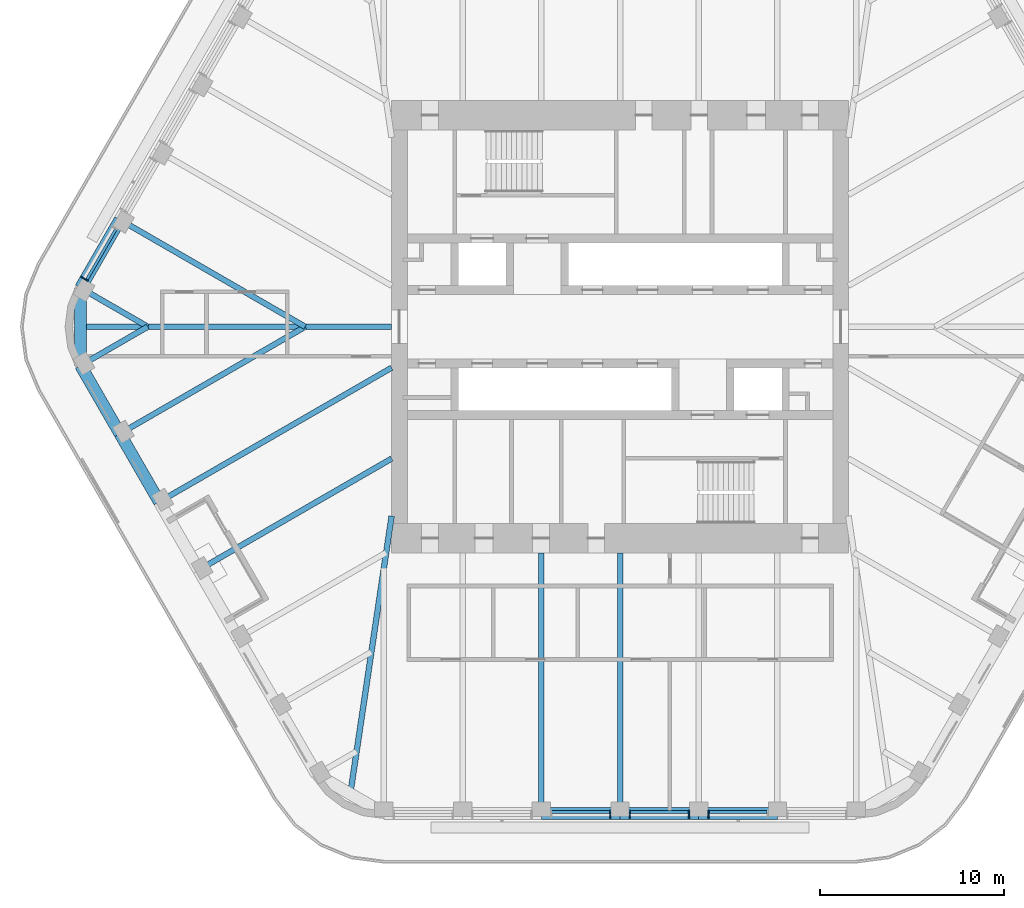
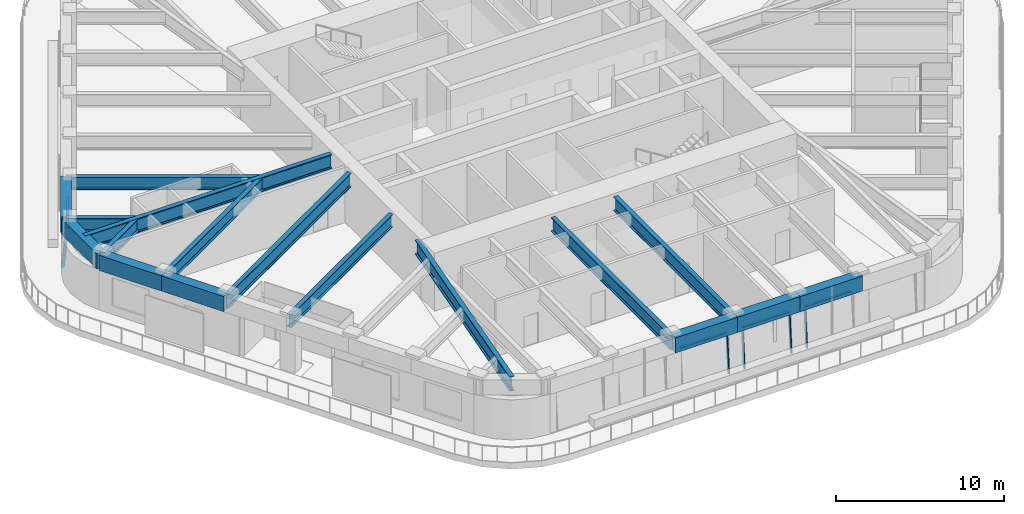
# One storey, part 3 of 19: 17 beams, 9 members, 4 elements without a shape of their own.
"""IFC4 building model written with IfcOpenShell, lengths in metres."""

from ifc_helpers import new_model, si_unit, direction, frame, origin, origin_2d, place, context, subcontext, project, spatial, rectangle, i_section, extrude, material, material_profile, profile_set, type_object, element, aggregate, save


model = new_model("IFC4")

# Units and contexts
model_context = context("Model", 3, precision=1e-05, world=origin(), true_north=direction((0.0, 1.0)))
body_context = subcontext(model_context, "Body", "Model", "MODEL_VIEW")
ifc_project = project(units=[si_unit("LENGTHUNIT", "METRE"), si_unit("AREAUNIT", "SQUARE_METRE"), si_unit("VOLUMEUNIT", "CUBIC_METRE"), si_unit("PLANEANGLEUNIT", "RADIAN"), si_unit("MASSUNIT", "GRAM", prefix="KILO")], contexts=[model_context])

# Site, building, storey
site_placement = place(None, origin())
site = spatial("IfcSite", under=ifc_project, at=site_placement, CompositionType="ELEMENT")
building_placement = place(site_placement, origin())
building = spatial("IfcBuilding", under=site, at=building_placement, Name="Tarfa Lantern Tower", CompositionType="ELEMENT")
storey_placement = place(building_placement, frame((0.0, 0.0, 332.5)))
storey = spatial("IfcBuildingStorey", under=building, at=storey_placement, Name="L75", CompositionType="ELEMENT", Elevation=332.5)

# Curtain wall, member
ifc_material_1 = material(Name="Aluminium framed curtain wall", Category="aluminium")
curtain_wall_type = type_object("IfcCurtainWallType", Name="CW4 CANTED GLAZING EXECUTIVE ZONE 2900", PredefinedType="USERDEFINED", material=ifc_material_1)
curtain_wall_1_placement = place(storey_placement, origin())
curtain_wall_1 = element("IfcCurtainWall", 1, at=curtain_wall_1_placement, inside=storey, type_object=curtain_wall_type, Name="CW4 NW L75", ObjectType="CURTAIN WALL", PredefinedType="USERDEFINED")
ifc_material_2 = material(Name="Aluminium mullion", Category="aluminium")
ifc_material_profile_1 = material_profile(ifc_material_2, rectangle(XDim=0.06494140625, YDim=0.199951171875, at=origin_2d()), Name="AL MULLION 65x200")
ifc_profile_set_1 = profile_set([ifc_material_profile_1], Name="Aluminium mullion")
member_type_1 = type_object("IfcMemberType", Name="CWM1 MULLION 65x200", PredefinedType="MULLION", material=ifc_profile_set_1)
member_1_placement = place(storey_placement, frame((-29.236328125, 2.6611328125, 0.0), z_axis=(0.074399820079, -0.042945555672, 0.996303340364), x_axis=(0.499919672301, 0.866071776036, 0.0)))
member_1 = element("IfcMember", 2, at=member_1_placement, type_object=member_type_1, Name="CW4 mullion 2", PredefinedType="MULLION", context=body_context, shape_type="SweptSolid", body=[
    extrude(rectangle(XDim=0.06494140625, YDim=0.199951171875, at=origin_2d()), origin(), (0.0, 0.0, 1.0), 2.91064453125),
])

curtain_wall_2_placement = place(storey_placement, origin())
curtain_wall_2 = element("IfcCurtainWall", 3, at=curtain_wall_2_placement, inside=storey, type_object=curtain_wall_type, Name="CW4 S L75", ObjectType="CURTAIN WALL", PredefinedType="USERDEFINED")
member_2_placement = place(storey_placement, frame((-0.532470703125, -26.64990234375, 0.0), z_axis=(0.0, 0.085891213166, 0.99630452147), x_axis=(-1.0, 0.0, 0.0)))
member_2 = element("IfcMember", 4, at=member_2_placement, type_object=member_type_1, Name="CW4 mullion 2", PredefinedType="MULLION", context=body_context, shape_type="SweptSolid", body=[
    extrude(rectangle(XDim=0.06494140625, YDim=0.199951171875, at=origin_2d()), origin(), (0.0, 0.0, 1.0), 2.91064453125),
])

# Curtain wall, members
curtain_wall_3_placement = place(storey_placement, origin())
curtain_wall_3 = element("IfcCurtainWall", 5, at=curtain_wall_3_placement, inside=storey, type_object=curtain_wall_type, Name="CW4 S L75", ObjectType="CURTAIN WALL", PredefinedType="USERDEFINED")
member_3_placement = place(storey_placement, frame((0.532470703125, -26.64990234375, 0.0), z_axis=(0.0, 0.085891213166, 0.99630452147), x_axis=(-1.0, 0.0, 0.0)))
member_3 = element("IfcMember", 6, at=member_3_placement, type_object=member_type_1, Name="CW4 mullion 1", PredefinedType="MULLION", context=body_context, shape_type="SweptSolid", body=[
    extrude(rectangle(XDim=0.06494140625, YDim=0.199951171875, at=origin_2d()), origin(), (0.0, 0.0, 1.0), 2.91064453125),
])
member_4_placement = place(storey_placement, frame((3.74951171875, -26.64990234375, 0.0), z_axis=(0.0, 0.085891213166, 0.99630452147), x_axis=(-1.0, 0.0, 0.0)))
member_4 = element("IfcMember", 7, at=member_4_placement, type_object=member_type_1, Name="CW4 mullion 2", PredefinedType="MULLION", context=body_context, shape_type="SweptSolid", body=[
    extrude(rectangle(XDim=0.06494140625, YDim=0.199951171875, at=origin_2d()), origin(), (0.0, 0.0, 1.0), 2.91064453125),
])

# Curtain wall, member
curtain_wall_4_placement = place(storey_placement, origin())
curtain_wall_4 = element("IfcCurtainWall", 8, at=curtain_wall_4_placement, inside=storey, type_object=curtain_wall_type, Name="CW4 S L75", ObjectType="CURTAIN WALL", PredefinedType="USERDEFINED")
member_5_placement = place(storey_placement, frame((4.814453125, -26.64990234375, 0.0), z_axis=(0.0, 0.085891213166, 0.99630452147), x_axis=(-1.0, 0.0, 0.0)))
member_5 = element("IfcMember", 9, at=member_5_placement, type_object=member_type_1, Name="CW4 mullion 1", PredefinedType="MULLION", context=body_context, shape_type="SweptSolid", body=[
    extrude(rectangle(XDim=0.06494140625, YDim=0.199951171875, at=origin_2d()), origin(), (0.0, 0.0, 1.0), 2.91064453125),
])

# Member
ifc_material_3 = material(Name="Aluminium transom", Category="aluminium")
ifc_material_profile_2 = material_profile(ifc_material_3, rectangle(XDim=0.14990234375, YDim=0.06494140625, at=origin_2d()), Name="AL TRANSOM 150x65")
ifc_profile_set_2 = profile_set([ifc_material_profile_2], Name="Aluminium transom")
member_type_2 = type_object("IfcMemberType", Name="CWT1 TRANSOM 150x65", PredefinedType="USERDEFINED", material=ifc_profile_set_2)
member_6_placement = place(storey_placement, frame((-27.429931640625, 5.29541015625, 2.867431640625), z_axis=(-0.500037562771, -0.866003715822, 0.0), x_axis=(0.866003715822, -0.500037562771, 0.0)))
member_6 = element("IfcMember", 10, at=member_6_placement, type_object=member_type_2, Name="CW4 transom 1.2", ObjectType="TRANSOM", PredefinedType="USERDEFINED", context=body_context, shape_type="SweptSolid", body=[
    extrude(rectangle(XDim=0.14990234375, YDim=0.06494140625, at=origin_2d()), origin(), (0.0, 0.0, 1.0), 3.152099609375),
])

aggregate(curtain_wall_1, [member_1, member_6])

member_7_placement = place(storey_placement, frame((-3.717041015625, -26.40283203125, 2.867431640625), z_axis=(1.0, 0.0, 0.0), x_axis=(0.0, 1.0, 0.0)))
member_7 = element("IfcMember", 11, at=member_7_placement, type_object=member_type_2, Name="CW4 transom 1.2", ObjectType="TRANSOM", PredefinedType="USERDEFINED", context=body_context, shape_type="SweptSolid", body=[
    extrude(rectangle(XDim=0.14990234375, YDim=0.06494140625, at=origin_2d()), origin(), (0.0, 0.0, 1.0), 3.152099609375),
])

aggregate(curtain_wall_2, [member_2, member_7])

member_8_placement = place(storey_placement, frame((0.56494140625, -26.40283203125, 2.867431640625), z_axis=(1.0, 0.0, 0.0), x_axis=(0.0, 1.0, 0.0)))
member_8 = element("IfcMember", 12, at=member_8_placement, type_object=member_type_2, Name="CW4 transom 1.2", ObjectType="TRANSOM", PredefinedType="USERDEFINED", context=body_context, shape_type="SweptSolid", body=[
    extrude(rectangle(XDim=0.14990234375, YDim=0.06494140625, at=origin_2d()), origin(), (0.0, 0.0, 1.0), 3.152099609375),
])

aggregate(curtain_wall_3, [member_3, member_4, member_8])

member_9_placement = place(storey_placement, frame((4.846923828125, -26.40283203125, 2.867431640625), z_axis=(1.0, 0.0, 0.0), x_axis=(0.0, 1.0, 0.0)))
member_9 = element("IfcMember", 13, at=member_9_placement, type_object=member_type_2, Name="CW4 transom 1.2", ObjectType="TRANSOM", PredefinedType="USERDEFINED", context=body_context, shape_type="SweptSolid", body=[
    extrude(rectangle(XDim=0.14990234375, YDim=0.06494140625, at=origin_2d()), origin(), (0.0, 0.0, 1.0), 3.152099609375),
])

aggregate(curtain_wall_4, [member_5, member_9])

# Beams
ifc_material_4 = material(Name="Concrete C80/95", Category="concrete")
ifc_material_profile_3 = material_profile(ifc_material_4, rectangle(XDim=0.64990234375, YDim=1.10009765625, at=origin_2d()), Name="RC 650x1100")
ifc_profile_set_3 = profile_set([ifc_material_profile_3], Name="Concrete C80/95")
beam_type_1 = type_object("IfcBeamType", Name="EB4 RC 650x1100", PredefinedType="SPANDREL", material=ifc_profile_set_3)
beam_1_placement = place(storey_placement, frame((-27.205810546875, 5.818359375, 3.449951171875), z_axis=(-0.499984039138, -0.866034618596, 0.0), x_axis=(0.866034618596, -0.499984039138, 0.0)))
element("IfcBeam", 14, at=beam_1_placement, inside=storey, type_object=beam_type_1, Name="Edge beam NW5", PredefinedType="SPANDREL", context=body_context, shape_type="SweptSolid", body=[
    extrude(rectangle(XDim=0.64990234375, YDim=1.10009765625, at=origin_2d()), origin(), (0.0, 0.0, 1.0), 4.281982421875),
])
beam_2_placement = place(storey_placement, frame((-29.3466796875, 2.110107421875, 3.449951171875), z_axis=(0.0, -1.0, 0.0), x_axis=(1.0, 0.0, 0.0)))
element("IfcBeam", 15, at=beam_2_placement, inside=storey, type_object=beam_type_1, Name="Edge beam NW6", PredefinedType="SPANDREL", context=body_context, shape_type="SweptSolid", body=[
    extrude(rectangle(XDim=0.64990234375, YDim=1.10009765625, at=origin_2d()), origin(), (0.0, 0.0, 1.0), 4.22021484375),
])
for number, where, z_axis, x_axis, name in (
    (16, (-29.3466796875, -2.110107421875, 3.449951171875), (0.499984039138, -0.866034618596, 0.0), (0.866034618596, 0.499984039138, 0.0), "Edge beam SW0"),
    (17, (-27.205810546875, -5.818359375, 3.449951171875), (0.500026801138, -0.866009929587, 0.0), (0.866009929587, 0.500026801138, 0.0), "Edge beam SW1"),
    (18, (-4.281982421875, -26.469970703125, 3.449951171875), (1.0, 0.0, 0.0), (0.0, 1.0, 0.0), "Edge beam S2"),
    (19, (0.0, -26.469970703125, 3.449951171875), (1.0, 0.0, 0.0), (0.0, 1.0, 0.0), "Edge beam S3"),
    (20, (4.281982421875, -26.469970703125, 3.449951171875), (1.0, 0.0, 0.0), (0.0, 1.0, 0.0), "Edge beam S4"),
):
    element("IfcBeam", number, at=place(storey_placement, frame(where, z_axis=z_axis, x_axis=x_axis)), inside=storey, type_object=beam_type_1, Name=name, PredefinedType="SPANDREL", context=body_context, shape_type="SweptSolid", body=[
        extrude(rectangle(XDim=0.64990234375, YDim=1.10009765625, at=origin_2d()), origin(), (0.0, 0.0, 1.0), 4.281982421875),
    ])
ifc_material_5 = material(Name="Steel S460M", Category="steel")
ifc_material_profile_4 = material_profile(ifc_material_5, i_section(OverallWidth=0.302001953125, OverallDepth=1.008056640625, WebThickness=0.02099609375, FlangeThickness=0.0400390625, FilletRadius=0.030029296875, at=origin_2d()), Name="UB1016x305x349")
ifc_profile_set_4 = profile_set([ifc_material_profile_4], Name="Steel S460M")
beam_type_2 = type_object("IfcBeamType", Name="UB1016x305x349", PredefinedType="BEAM", material=ifc_profile_set_4)
beam_3_placement = place(storey_placement, frame((-25.064697265625, -9.526611328125, 3.495849609375), z_axis=(0.866029591389, 0.499992746786, 0.0), x_axis=(-0.499992746786, 0.866029591389, 0.0)))
element("IfcBeam", 21, at=beam_3_placement, inside=storey, type_object=beam_type_2, Name="Floor beam SW2", PredefinedType="BEAM", context=body_context, shape_type="SweptSolid", body=[
    extrude(i_section(OverallWidth=0.302001953125, OverallDepth=1.008056640625, WebThickness=0.02099609375, FlangeThickness=0.0400390625, FilletRadius=0.030029296875, at=origin_2d()), origin(), (0.0, 0.0, 1.0), 14.594970703125),
])
for number, where, z_axis, x_axis, name in (
    (22, (-4.281982421875, -26.469970703125, 3.495849609375), (0.0, 1.0, 0.0), (-1.0, 0.0, 0.0), "Floor beam S2"),
    (23, (0.0, -26.469970703125, 3.495849609375), (0.0, 1.0, 0.0), (-1.0, 0.0, 0.0), "Floor beam S3"),
):
    element("IfcBeam", number, at=place(storey_placement, frame(where, z_axis=z_axis, x_axis=x_axis)), inside=storey, type_object=beam_type_2, Name=name, PredefinedType="BEAM", context=body_context, shape_type="SweptSolid", body=[
        extrude(i_section(OverallWidth=0.302001953125, OverallDepth=1.008056640625, WebThickness=0.02099609375, FlangeThickness=0.0400390625, FilletRadius=0.030029296875, at=origin_2d()), origin(), (0.0, 0.0, 1.0), 14.169921875),
    ])
ifc_material_profile_5 = material_profile(ifc_material_5, i_section(OverallWidth=0.30859375, OverallDepth=1.036376953125, WebThickness=0.030029296875, FlangeThickness=0.05419921875, FilletRadius=0.030029296875, at=origin_2d()), Name="UB1016x305x487")
ifc_profile_set_5 = profile_set([ifc_material_profile_5], Name="Steel S460M")
beam_type_3 = type_object("IfcBeamType", Name="UB1016x305x487", PredefinedType="BEAM", material=ifc_profile_set_5)
beam_4_placement = place(storey_placement, frame((-12.425048828125, 0.0, 3.48193359375), z_axis=(-1.0, 0.0, 0.0), x_axis=(0.0, -1.0, 0.0)))
element("IfcBeam", 24, at=beam_4_placement, inside=storey, type_object=beam_type_3, Name="Hip girder W", PredefinedType="BEAM", context=body_context, shape_type="SweptSolid", body=[
    extrude(i_section(OverallWidth=0.30859375, OverallDepth=1.036376953125, WebThickness=0.030029296875, FlangeThickness=0.05419921875, FilletRadius=0.030029296875, at=origin_2d()), origin(), (0.0, 0.0, 1.0), 16.921630859375),
])
beam_5_placement = place(storey_placement, frame((-12.425048828125, -10.300048828125, 3.48193359375), z_axis=(-0.147127069073, -0.989117599452, 0.0), x_axis=(0.989117599452, -0.147127069073, 0.0)))
element("IfcBeam", 25, at=beam_5_placement, inside=storey, type_object=beam_type_3, Name="Hip girder SW", PredefinedType="BEAM", context=body_context, shape_type="SweptSolid", body=[
    extrude(i_section(OverallWidth=0.30859375, OverallDepth=1.036376953125, WebThickness=0.030029296875, FlangeThickness=0.05419921875, FilletRadius=0.030029296875, at=origin_2d()), origin(), (0.0, 0.0, 1.0), 15.28125),
])
ifc_material_profile_6 = material_profile(ifc_material_5, i_section(OverallWidth=0.305419921875, OverallDepth=0.91845703125, WebThickness=0.017333984375, FlangeThickness=0.02783203125, FilletRadius=0.01904296875, at=origin_2d()), Name="UB914x305x253")
ifc_profile_set_6 = profile_set([ifc_material_profile_6], Name="Steel S460M")
beam_type_4 = type_object("IfcBeamType", Name="UB914x305x253", PredefinedType="BEAM", material=ifc_profile_set_6)
beam_6_placement = place(storey_placement, frame((-27.205810546875, 5.818359375, 3.540771484375), z_axis=(0.866024171998, -0.500002133511, 0.0), x_axis=(0.500002133511, 0.866024171998, 0.0)))
element("IfcBeam", 26, at=beam_6_placement, inside=storey, type_object=beam_type_4, Name="Floor beam NW5", PredefinedType="BEAM", context=body_context, shape_type="SweptSolid", body=[
    extrude(i_section(OverallWidth=0.305419921875, OverallDepth=0.91845703125, WebThickness=0.017333984375, FlangeThickness=0.02783203125, FilletRadius=0.01904296875, at=origin_2d()), origin(), (0.0, 0.0, 1.0), 11.63671875),
])
for number, where, z_axis, x_axis, name in (
    (27, (-29.3466796875, 2.110107421875, 3.540771484375), (0.866009274789, -0.500027935199, 0.0), (0.500027935199, 0.866009274789, 0.0), "Floor beam NW6"),
    (28, (-29.3466796875, -2.110107421875, 3.540771484375), (0.866009274789, 0.500027935199, 0.0), (-0.500027935199, 0.866009274789, 0.0), "Floor beam SW0"),
):
    element("IfcBeam", number, at=place(storey_placement, frame(where, z_axis=z_axis, x_axis=x_axis)), inside=storey, type_object=beam_type_4, Name=name, PredefinedType="BEAM", context=body_context, shape_type="SweptSolid", body=[
        extrude(i_section(OverallWidth=0.305419921875, OverallDepth=0.91845703125, WebThickness=0.017333984375, FlangeThickness=0.02783203125, FilletRadius=0.01904296875, at=origin_2d()), origin(), (0.0, 0.0, 1.0), 4.219970703125),
    ])
beam_7_placement = place(storey_placement, frame((-27.205810546875, -5.818359375, 3.540771484375), z_axis=(0.866024171998, 0.500002133511, 0.0), x_axis=(-0.500002133511, 0.866024171998, 0.0)))
element("IfcBeam", 29, at=beam_7_placement, inside=storey, type_object=beam_type_4, Name="Floor beam SW1", PredefinedType="BEAM", context=body_context, shape_type="SweptSolid", body=[
    extrude(i_section(OverallWidth=0.305419921875, OverallDepth=0.91845703125, WebThickness=0.017333984375, FlangeThickness=0.02783203125, FilletRadius=0.01904296875, at=origin_2d()), origin(), (0.0, 0.0, 1.0), 11.63671875),
])
beam_8_placement = place(storey_placement, frame((-22.923583984375, -13.235107421875, 3.540771484375), z_axis=(0.86601856927, 0.500011837539, 0.0), x_axis=(-0.500011837539, 0.86601856927, 0.0)))
element("IfcBeam", 30, at=beam_8_placement, inside=storey, type_object=beam_type_4, Name="Floor beam SW3", PredefinedType="BEAM", context=body_context, shape_type="SweptSolid", body=[
    extrude(i_section(OverallWidth=0.305419921875, OverallDepth=0.91845703125, WebThickness=0.017333984375, FlangeThickness=0.02783203125, FilletRadius=0.01904296875, at=origin_2d()), origin(), (0.0, 0.0, 1.0), 12.122802734375),
])

save(model, "model.ifc")
